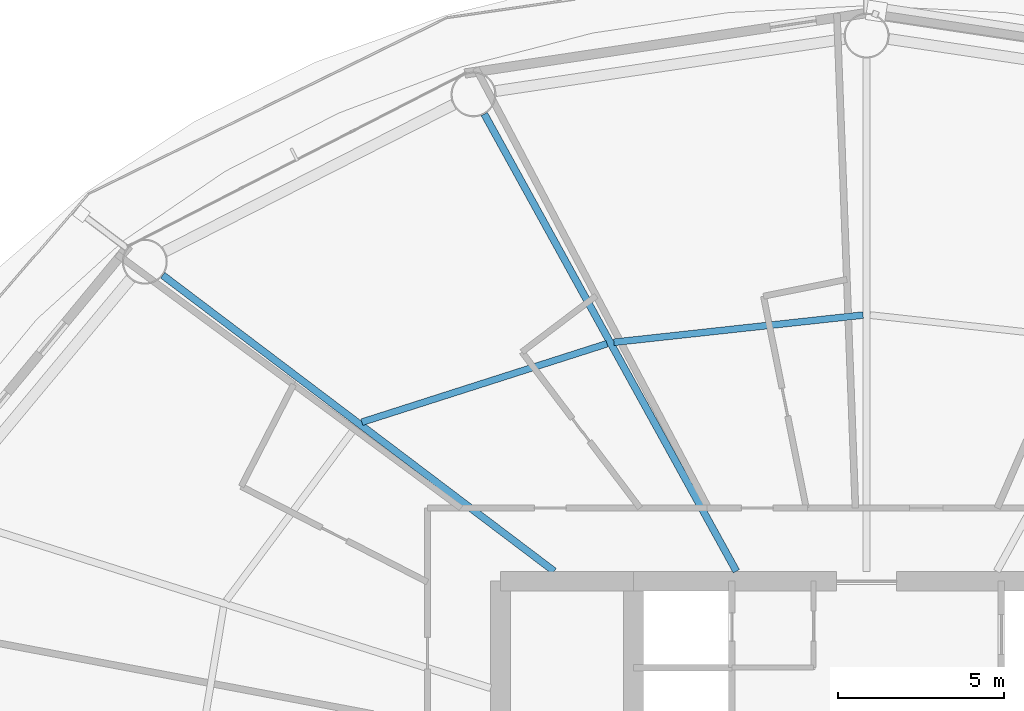
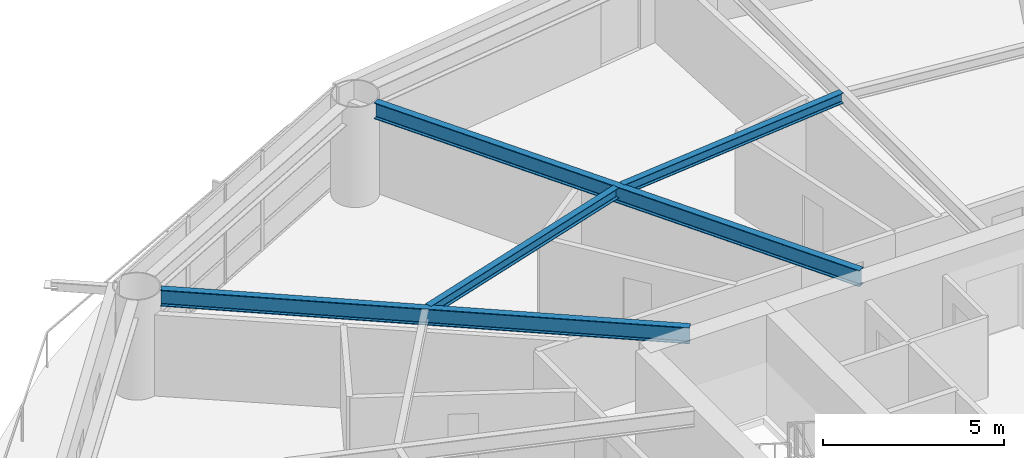
# One storey, part 11 of 26: 4 beams.
"""IFC4 building model written with IfcOpenShell, lengths in metres."""

import ifcopenshell
import ifcopenshell.guid

model = None  # the IFC model being written
_history = None  # IfcOwnerHistory: only IFC2X3 demands one
_inside = {}  # id of a spatial element -> (the spatial element, [elements in it])
_under = {}  # id of a project, library or spatial element -> (it, [spatial elements below it])
_declared = {}  # id of a project -> (the project, [libraries it declares])
_typed = {}  # id of a type object -> (the type object, [elements of that type])
_made_of = {}  # id of a material, layer set ... -> (it, [elements and type objects made of it])


def new_model(schema):
    """Start an empty IFC model of exactly this schema.

    Asked for "IFC4X3", IfcOpenShell would pick the latest addendum, in which some entities
    have other attributes; the version numbers below select the first issue.
    IFC2X3 requires an IfcOwnerHistory on every rooted entity: one is made here for all.
    """
    global model, _history
    if schema == "IFC4X3":
        model = ifcopenshell.file(schema_version=(4, 3, 0, 0))
    else:
        model = ifcopenshell.file(schema=schema)
    _inside.clear()
    _under.clear()
    _declared.clear()
    _typed.clear()
    _made_of.clear()
    _history = None
    if model.schema == "IFC2X3":
        org = make("IfcOrganization", Name="unknown")
        user = make(
            "IfcPersonAndOrganization",
            ThePerson=make("IfcPerson", FamilyName="unknown"),
            TheOrganization=org,
        )
        app = make(
            "IfcApplication",
            ApplicationDeveloper=org,
            Version="unknown",
            ApplicationFullName="unknown",
            ApplicationIdentifier="unknown",
        )
        _history = make(
            "IfcOwnerHistory",
            OwningUser=user,
            OwningApplication=app,
            ChangeAction="ADDED",
            CreationDate=0,
        )
    return model


def make(cls, **values):
    """One entity of the class cls with the attributes given. An attribute that is None is left unset."""
    return model.create_entity(
        cls, **{name: value for name, value in values.items() if value is not None}
    )


def rooted(cls, **values):
    """An entity with a GlobalId (a new one), such as an element, a storey or a relation."""
    return make(cls, GlobalId=ifcopenshell.guid.new(), OwnerHistory=_history, **values)


def si_unit(unit_type, name, prefix=None):
    """IfcSIUnit, for example si_unit("LENGTHUNIT", "METRE", prefix="MILLI")."""
    return make("IfcSIUnit", UnitType=unit_type, Prefix=prefix, Name=name)


def assignment(units):
    """IfcUnitAssignment: the units of a project."""
    return None if units is None else make("IfcUnitAssignment", Units=units)


def point(xyz):
    """IfcCartesianPoint."""
    return None if xyz is None else make("IfcCartesianPoint", Coordinates=xyz)


def direction(xyz):
    """IfcDirection."""
    return None if xyz is None else make("IfcDirection", DirectionRatios=xyz)


def frame(location, z_axis=None, x_axis=None):
    """IfcAxis2Placement3D, a coordinate frame: its origin and axes. An axis left out is left unset."""
    return make(
        "IfcAxis2Placement3D",
        Location=point(location),
        Axis=direction(z_axis),
        RefDirection=direction(x_axis),
    )


def frame_2d(location, x_axis=None):
    """IfcAxis2Placement2D, a coordinate frame in the plane: its origin and x axis."""
    return make(
        "IfcAxis2Placement2D", Location=point(location), RefDirection=direction(x_axis)
    )


def origin():
    """The frame at (0, 0, 0) with its axes left unset."""
    return frame((0.0, 0.0, 0.0))


def origin_2d():
    """The frame at (0, 0) in the plane with its x axis left unset."""
    return frame_2d((0.0, 0.0))


def place(relative_to, where):
    """IfcLocalPlacement: puts the frame where relative to a parent placement (None: the world)."""
    return make(
        "IfcLocalPlacement", PlacementRelTo=relative_to, RelativePlacement=where
    )


def context(
    kind, dimensions, precision=None, world=None, true_north=None, identifier=None
):
    """IfcGeometricRepresentationContext, for example the 3D "Model" context."""
    return make(
        "IfcGeometricRepresentationContext",
        ContextIdentifier=identifier,
        ContextType=kind,
        CoordinateSpaceDimension=dimensions,
        Precision=precision,
        WorldCoordinateSystem=world,
        TrueNorth=true_north,
    )


def subcontext(parent, identifier, kind, view, scale=None):
    """IfcGeometricRepresentationSubContext, for example "Body" below "Model"."""
    return make(
        "IfcGeometricRepresentationSubContext",
        ContextIdentifier=identifier,
        ContextType=kind,
        ParentContext=parent,
        TargetScale=scale,
        TargetView=view,
    )


def project(units=None, contexts=None):
    """IfcProject with its units and contexts."""
    return rooted(
        "IfcProject",
        Name="project",
        RepresentationContexts=contexts,
        UnitsInContext=assignment(units),
    )


def spatial(cls, under=None, at=None, **own):
    """A site, building, storey or space (cls), placed at a placement, below another one or the project."""
    s = rooted(cls, ObjectPlacement=at, **own)
    if under is not None:
        _under.setdefault(under.id(), (under, []))[1].append(s)
    return s


def profile(cls, at=None, kind="AREA", **sizes):
    """A parametric profile (cls). Its sizes go by their IFC names, for example OverallWidth=200.0."""
    return make(cls, ProfileType=kind, Position=at, **sizes)


def i_section(**sizes):
    """IfcIShapeProfileDef."""
    return profile("IfcIShapeProfileDef", **sizes)


def extrude(swept, where, along, depth):
    """IfcExtrudedAreaSolid: the profile swept, set in the frame where, extruded along a direction by depth."""
    return make(
        "IfcExtrudedAreaSolid",
        SweptArea=swept,
        Position=where,
        ExtrudedDirection=direction(along),
        Depth=depth,
    )


def shape(context_of_items, identifier, shape_type, items):
    """IfcShapeRepresentation: the items that make up one representation, for example the "Body"."""
    return make(
        "IfcShapeRepresentation",
        ContextOfItems=context_of_items,
        RepresentationIdentifier=identifier,
        RepresentationType=shape_type,
        Items=items,
    )


def material(Name=None, Category=None):
    """IfcMaterial."""
    return make("IfcMaterial", Name=Name, Category=Category)


def material_profile(
    of_material, cross_section, Name=None, Category=None, Priority=None
):
    """IfcMaterialProfile: a cross section and its material."""
    return make(
        "IfcMaterialProfile",
        Name=Name,
        Material=of_material,
        Profile=cross_section,
        Priority=Priority,
        Category=Category,
    )


def profile_set(profiles, Name=None, composite=None):
    """IfcMaterialProfileSet."""
    return make(
        "IfcMaterialProfileSet",
        Name=Name,
        MaterialProfiles=profiles,
        CompositeProfile=composite,
    )


def made_of(thing, what):
    """Note that an element or type object is made of a material, layer set ...; save() writes the relation."""
    if what is not None:
        _made_of.setdefault(what.id(), (what, []))[1].append(thing)
    return thing


def type_object(cls, material=None, **own):
    """A type object (cls), such as IfcWallType, which elements share."""
    return made_of(rooted(cls, **own), material)


def element(
    cls,
    number,
    at=None,
    inside=None,
    cuts=None,
    type_object=None,
    material=None,
    context=None,
    identifier="Body",
    shape_type=None,
    held_by="IfcProductDefinitionShape",
    body=None,
    shapes=None,
    **own,
):
    """One element of the class cls, such as IfcWall. Its Tag is "e" and its number.

    at: its placement. inside: the storey or other place that contains it. cuts: it is an
    opening in that element (IfcRelVoidsElement). A single representation is given by context,
    identifier, shape_type and body (its items); several are given by shapes. held_by: the class
    of the entity that holds the representations. save() writes the other relations.
    """
    e = rooted(cls, Tag="e%d" % number, ObjectPlacement=at, **own)
    if body is not None:
        shapes = [shape(context, identifier, shape_type, body)]
    if shapes is not None:
        e.Representation = make(held_by, Representations=shapes)
    if inside is not None:
        _inside.setdefault(inside.id(), (inside, []))[1].append(e)
    if cuts is not None:
        rooted(
            "IfcRelVoidsElement", RelatingBuildingElement=cuts, RelatedOpeningElement=e
        )
    if type_object is not None:
        _typed.setdefault(type_object.id(), (type_object, []))[1].append(e)
    return made_of(e, material)


def aggregate(whole, parts):
    """IfcRelAggregates: a whole, such as a stair, and the parts it consists of."""
    return rooted("IfcRelAggregates", RelatingObject=whole, RelatedObjects=parts)


def save(model, path):
    """Write the relations noted so far, then the file.

    IfcRelAggregates (storeys below a building ...), IfcRelContainedInSpatialStructure (elements
    in a storey), IfcRelDefinesByType, IfcRelAssociatesMaterial and IfcRelDeclares: one each for
    every whole, place, type object, material and project.
    """
    for whole, parts in _under.values():
        aggregate(whole, parts)
    for where, things in _inside.values():
        rooted(
            "IfcRelContainedInSpatialStructure",
            RelatedElements=things,
            RelatingStructure=where,
        )
    for kind, things in _typed.values():
        rooted("IfcRelDefinesByType", RelatedObjects=things, RelatingType=kind)
    for what, things in _made_of.values():
        rooted("IfcRelAssociatesMaterial", RelatedObjects=things, RelatingMaterial=what)
    for by, libraries in _declared.values():
        rooted("IfcRelDeclares", RelatingContext=by, RelatedDefinitions=libraries)
    model.write(path)


model = new_model("IFC4")

# Units and contexts
model_context = context("Model", 3, precision=1e-05, world=origin(), true_north=direction((0.0, 1.0)))
body_context = subcontext(model_context, "Body", "Model", "MODEL_VIEW")
ifc_project = project(units=[si_unit("LENGTHUNIT", "METRE"), si_unit("AREAUNIT", "SQUARE_METRE"), si_unit("VOLUMEUNIT", "CUBIC_METRE"), si_unit("PLANEANGLEUNIT", "RADIAN"), si_unit("MASSUNIT", "GRAM", prefix="KILO")], contexts=[model_context])

# Site, building, storey
site_placement = place(None, origin())
site = spatial("IfcSite", under=ifc_project, at=site_placement, CompositionType="ELEMENT")
building_placement = place(site_placement, origin())
building = spatial("IfcBuilding", under=site, at=building_placement, Name="Sarneth Arch Tower", CompositionType="ELEMENT")
storey_placement = place(building_placement, frame((0.0, 0.0, 39.0)))
storey = spatial("IfcBuildingStorey", under=building, at=storey_placement, Name="L08", CompositionType="ELEMENT", Elevation=39.0)

# Beams
ifc_material_1 = material(Name="Steel S355", Category="steel")
ifc_material_profile_1 = material_profile(ifc_material_1, i_section(OverallWidth=0.2041015625, OverallDepth=0.35009765625, WebThickness=0.008544921875, FlangeThickness=0.01513671875, FilletRadius=0.014892578125, at=origin_2d()), Name="W360x72")
ifc_profile_set_1 = profile_set([ifc_material_profile_1], Name="Steel S355")
beam_type_1 = type_object("IfcBeamType", Name="BM-JOIST-360D", PredefinedType="JOIST", material=ifc_profile_set_1)
beam_1_placement = place(storey_placement, frame((47.8935546875, 56.80078125, 3.205078125), z_axis=(-0.994095251924, -0.108510967657, 0.0), x_axis=(0.108510967657, -0.994095251924, 0.0)))
element("IfcBeam", 1, at=beam_1_placement, inside=storey, type_object=beam_type_1, Name="L08 Secondary floor joist 05", PredefinedType="JOIST", context=body_context, shape_type="SweptSolid", body=[
    extrude(i_section(OverallWidth=0.2041015625, OverallDepth=0.35009765625, WebThickness=0.008544921875, FlangeThickness=0.01513671875, FilletRadius=0.014892578125, at=origin_2d()), origin(), (0.0, 0.0, 1.0), 7.534912109375),
])
beam_2_placement = place(storey_placement, frame((40.19482421875, 55.938720703125, 3.205078125), z_axis=(-0.952436240143, -0.304737934073, 0.0), x_axis=(0.304737934073, -0.952436240143, 0.0)))
element("IfcBeam", 2, at=beam_2_placement, inside=storey, type_object=beam_type_1, Name="L08 Secondary floor joist 06", PredefinedType="JOIST", context=body_context, shape_type="SweptSolid", body=[
    extrude(i_section(OverallWidth=0.2041015625, OverallDepth=0.35009765625, WebThickness=0.008544921875, FlangeThickness=0.01513671875, FilletRadius=0.014892578125, at=origin_2d()), origin(), (0.0, 0.0, 1.0), 7.735107421875),
])
ifc_material_2 = material(Name="Steel S355", Category="steel")
ifc_material_profile_2 = material_profile(ifc_material_2, i_section(OverallWidth=0.214111328125, OverallDepth=0.549072265625, WebThickness=0.0146484375, FlangeThickness=0.023681640625, FilletRadius=0.01806640625, at=origin_2d()), Name="W530x138")
ifc_profile_set_2 = profile_set([ifc_material_profile_2], Name="Steel S355")
beam_type_2 = type_object("IfcBeamType", Name="BM-RAD-530A", PredefinedType="BEAM", material=ifc_profile_set_2)
beam_3_placement = place(storey_placement, frame((44.08544921875, 49.10009765625, 3.10546875), z_axis=(-0.482837562311, 0.875709933952, 0.0), x_axis=(-0.875709933952, -0.482837562311, 0.0)))
element("IfcBeam", 3, at=beam_3_placement, inside=storey, type_object=beam_type_2, Name="L08 Radial floor girder 06", PredefinedType="BEAM", context=body_context, shape_type="SweptSolid", body=[
    extrude(i_section(OverallWidth=0.214111328125, OverallDepth=0.549072265625, WebThickness=0.0146484375, FlangeThickness=0.023681640625, FilletRadius=0.01806640625, at=origin_2d()), origin(), (0.0, 0.0, 1.0), 15.693359375),
])
beam_4_placement = place(storey_placement, frame((38.609619140625, 49.10009765625, 3.10546875), z_axis=(-0.797656612852, 0.603111870198, 0.0), x_axis=(-0.603111870198, -0.797656612852, 0.0)))
element("IfcBeam", 4, at=beam_4_placement, inside=storey, type_object=beam_type_2, Name="L08 Radial floor girder 07", PredefinedType="BEAM", context=body_context, shape_type="SweptSolid", body=[
    extrude(i_section(OverallWidth=0.214111328125, OverallDepth=0.549072265625, WebThickness=0.0146484375, FlangeThickness=0.023681640625, FilletRadius=0.01806640625, at=origin_2d()), origin(), (0.0, 0.0, 1.0), 14.7529296875),
])

save(model, "model.ifc")
